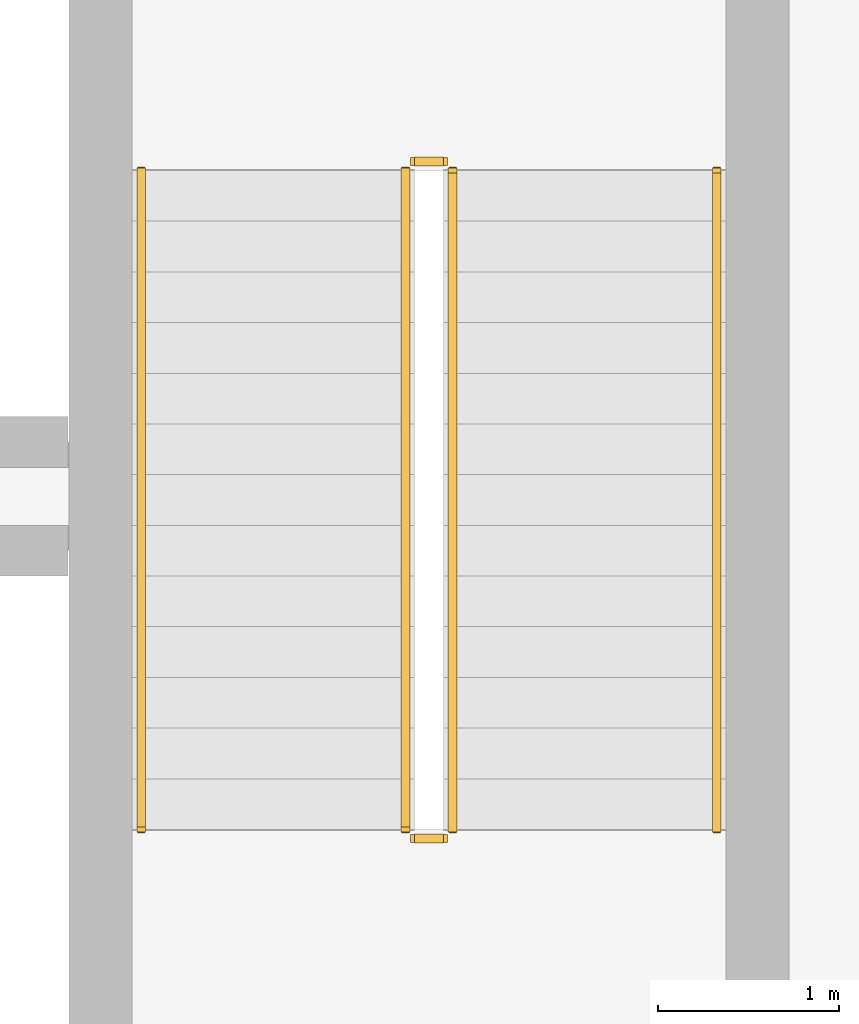
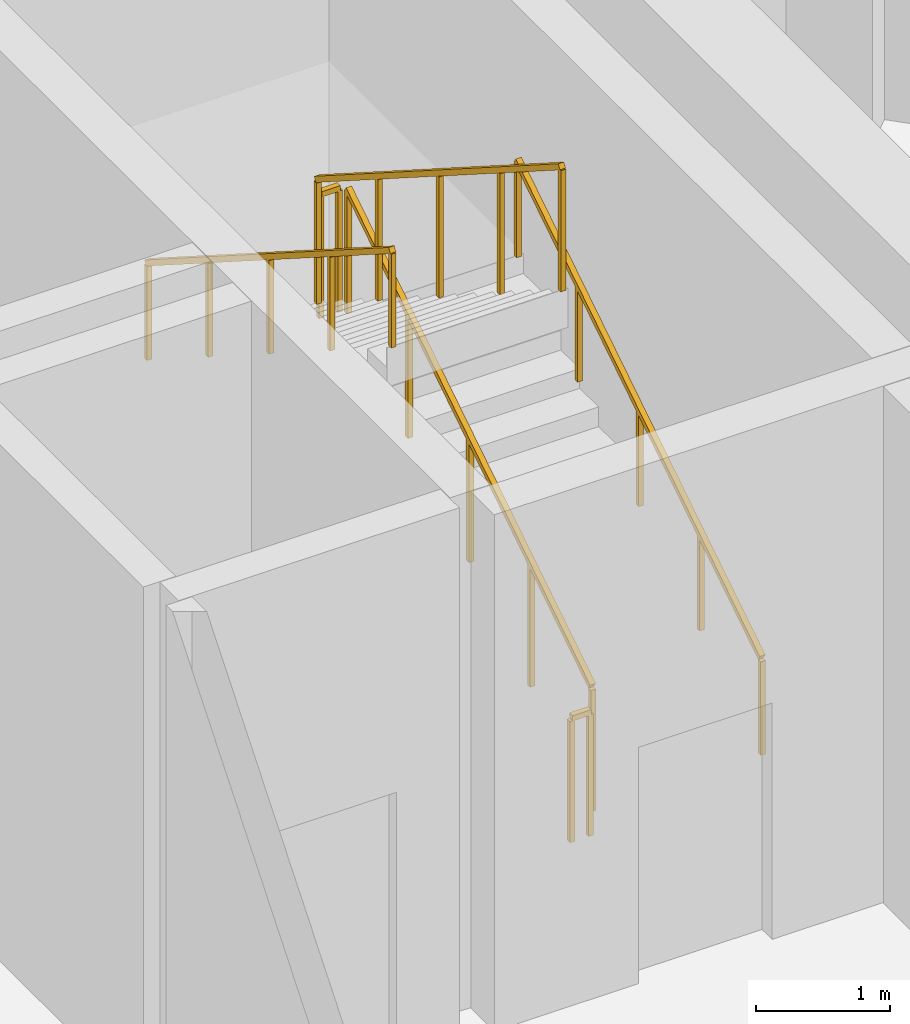
# One storey, part 36 of 36: 6 railings.
"""IFC4 building model written with IfcOpenShell, lengths in metres."""

from ifc_helpers import new_model, si_unit, direction, frame, origin, origin_2d, place, context, subcontext, project, spatial, rectangle, extrude, material, type_object, element, save


model = new_model("IFC4")

# Units and contexts
model_context = context("Model", 3, precision=1e-05, world=origin(), true_north=direction((0.0, 1.0)))
body_context = subcontext(model_context, "Body", "Model", "MODEL_VIEW")
ifc_project = project(units=[si_unit("LENGTHUNIT", "METRE"), si_unit("AREAUNIT", "SQUARE_METRE"), si_unit("VOLUMEUNIT", "CUBIC_METRE"), si_unit("PLANEANGLEUNIT", "RADIAN"), si_unit("MASSUNIT", "GRAM", prefix="KILO")], contexts=[model_context])

# Site, building, storey
site_placement = place(None, origin())
site = spatial("IfcSite", under=ifc_project, at=site_placement, CompositionType="ELEMENT")
building_placement = place(site_placement, origin())
building = spatial("IfcBuilding", under=site, at=building_placement, Name="Kaelvorn Grand Hotel", CompositionType="ELEMENT")
storey_placement = place(building_placement, frame((0.0, 0.0, 305.699951171875)))
storey = spatial("IfcBuildingStorey", under=building, at=storey_placement, Name="L74", CompositionType="ELEMENT", Elevation=305.699951171875)

# Railings
ifc_material = material(Name="Stainless Steel", Category="steel")
railing_type_1 = type_object("IfcRailingType", Name="RL-HANDRAIL-900", PredefinedType="HANDRAIL", material=ifc_material)
railing_1_placement = place(storey_placement, frame((66.550048828125, 41.760009765625, 0.1787109375)))
element("IfcRailing", 1, at=railing_1_placement, inside=storey, type_object=railing_type_1, Name="L74 ST3 stair handrail 1", PredefinedType="HANDRAIL", context=body_context, shape_type="SweptSolid", body=[
    extrude(rectangle(XDim=0.048095703125, YDim=0.048095703125, at=origin_2d()), frame((0.0, 0.0, 0.8759765625), z_axis=(0.0, 0.843137146238, 0.537698570422), x_axis=(-1.0, 0.0, 0.0)), (0.0, 0.0, 1.0), 4.317138671875),
    extrude(rectangle(XDim=0.0419921875, YDim=0.0419921875, at=origin_2d()), origin(), (0.0, 0.0, 1.0), 0.851806640625),
    extrude(rectangle(XDim=0.0419921875, YDim=0.0419921875, at=origin_2d()), frame((0.0, 0.909912109375, 0.580322265625)), (0.0, 0.0, 1.0), 0.851806640625),
    extrude(rectangle(XDim=0.0419921875, YDim=0.0419921875, at=origin_2d()), frame((0.0, 1.81982421875, 1.16064453125)), (0.0, 0.0, 1.0), 0.851806640625),
    extrude(rectangle(XDim=0.0419921875, YDim=0.0419921875, at=origin_2d()), frame((0.0, 2.72998046875, 1.740966796875)), (0.0, 0.0, 1.0), 0.851806640625),
    extrude(rectangle(XDim=0.0419921875, YDim=0.0419921875, at=origin_2d()), frame((0.0, 3.639892578125, 2.3212890625)), (0.0, 0.0, 1.0), 0.851806640625),
])
railing_2_placement = place(storey_placement, frame((63.3701171875, 45.39990234375, 2.6787109375)))
element("IfcRailing", 2, at=railing_2_placement, inside=storey, type_object=railing_type_1, Name="L74 ST3 stair handrail 2", PredefinedType="HANDRAIL", context=body_context, shape_type="SweptSolid", body=[
    extrude(rectangle(XDim=0.048095703125, YDim=0.048095703125, at=origin_2d()), frame((0.0, 0.0, 0.8759765625), z_axis=(0.0, -0.843137146238, 0.537698570422), x_axis=(1.0, 0.0, 0.0)), (0.0, 0.0, 1.0), 4.317138671875),
    extrude(rectangle(XDim=0.0419921875, YDim=0.0419921875, at=origin_2d()), origin(), (0.0, 0.0, 1.0), 0.851806640625),
    extrude(rectangle(XDim=0.0419921875, YDim=0.0419921875, at=origin_2d()), frame((0.0, -0.909912109375, 0.580322265625)), (0.0, 0.0, 1.0), 0.851806640625),
    extrude(rectangle(XDim=0.0419921875, YDim=0.0419921875, at=origin_2d()), frame((0.0, -1.81982421875, 1.16064453125)), (0.0, 0.0, 1.0), 0.851806640625),
    extrude(rectangle(XDim=0.0419921875, YDim=0.0419921875, at=origin_2d()), frame((0.0, -2.72998046875, 1.740966796875)), (0.0, 0.0, 1.0), 0.851806640625),
    extrude(rectangle(XDim=0.0419921875, YDim=0.0419921875, at=origin_2d()), frame((0.0, -3.639892578125, 2.3212890625)), (0.0, 0.0, 1.0), 0.851806640625),
])
railing_type_2 = type_object("IfcRailingType", Name="RL-STAIR-GUARD-1150", PredefinedType="BALUSTRADE", material=ifc_material)
railing_3_placement = place(storey_placement, frame((65.090087890625, 41.760009765625, 0.1787109375)))
element("IfcRailing", 3, at=railing_3_placement, inside=storey, type_object=railing_type_2, Name="L74 ST3 stair guard 1", PredefinedType="BALUSTRADE", context=body_context, shape_type="SweptSolid", body=[
    extrude(rectangle(XDim=0.048095703125, YDim=0.048095703125, at=origin_2d()), frame((0.0, 0.0, 1.1259765625), z_axis=(0.0, 0.843137146238, 0.537698570422), x_axis=(-1.0, 0.0, 0.0)), (0.0, 0.0, 1.0), 4.317138671875),
    extrude(rectangle(XDim=0.0419921875, YDim=0.0419921875, at=origin_2d()), origin(), (0.0, 0.0, 1.0), 1.101806640625),
    extrude(rectangle(XDim=0.0419921875, YDim=0.0419921875, at=origin_2d()), frame((0.0, 0.909912109375, 0.580322265625)), (0.0, 0.0, 1.0), 1.101806640625),
    extrude(rectangle(XDim=0.0419921875, YDim=0.0419921875, at=origin_2d()), frame((0.0, 1.81982421875, 1.16064453125)), (0.0, 0.0, 1.0), 1.101806640625),
    extrude(rectangle(XDim=0.0419921875, YDim=0.0419921875, at=origin_2d()), frame((0.0, 2.72998046875, 1.740966796875)), (0.0, 0.0, 1.0), 1.101806640625),
    extrude(rectangle(XDim=0.0419921875, YDim=0.0419921875, at=origin_2d()), frame((0.0, 3.639892578125, 2.3212890625)), (0.0, 0.0, 1.0), 1.101806640625),
])
railing_4_placement = place(storey_placement, frame((65.0400390625, 45.449951171875, 2.5)))
element("IfcRailing", 4, at=railing_4_placement, inside=storey, type_object=railing_type_2, Name="L74 ST3 stair guard 2", PredefinedType="BALUSTRADE", context=body_context, shape_type="SweptSolid", body=[
    extrude(rectangle(XDim=0.048095703125, YDim=0.048095703125, at=origin_2d()), frame((0.0, 0.0, 1.1259765625), z_axis=(-1.0, 0.0, 0.0), x_axis=(0.0, -1.0, 0.0)), (0.0, 0.0, 1.0), 0.16015625),
    extrude(rectangle(XDim=0.0419921875, YDim=0.0419921875, at=origin_2d()), origin(), (0.0, 0.0, 1.0), 1.101806640625),
    extrude(rectangle(XDim=0.0419921875, YDim=0.0419921875, at=origin_2d()), frame((-0.16015625, 0.0, 0.0)), (0.0, 0.0, 1.0), 1.101806640625),
])
railing_5_placement = place(storey_placement, frame((64.830078125, 45.39990234375, 2.6787109375)))
element("IfcRailing", 5, at=railing_5_placement, inside=storey, type_object=railing_type_2, Name="L74 ST3 stair guard 3", PredefinedType="BALUSTRADE", context=body_context, shape_type="SweptSolid", body=[
    extrude(rectangle(XDim=0.048095703125, YDim=0.048095703125, at=origin_2d()), frame((0.0, 0.0, 1.1259765625), z_axis=(0.0, -0.843137146238, 0.537698570422), x_axis=(1.0, 0.0, 0.0)), (0.0, 0.0, 1.0), 4.317138671875),
    extrude(rectangle(XDim=0.0419921875, YDim=0.0419921875, at=origin_2d()), origin(), (0.0, 0.0, 1.0), 1.101806640625),
    extrude(rectangle(XDim=0.0419921875, YDim=0.0419921875, at=origin_2d()), frame((0.0, -0.909912109375, 0.580322265625)), (0.0, 0.0, 1.0), 1.101806640625),
    extrude(rectangle(XDim=0.0419921875, YDim=0.0419921875, at=origin_2d()), frame((0.0, -1.81982421875, 1.16064453125)), (0.0, 0.0, 1.0), 1.101806640625),
    extrude(rectangle(XDim=0.0419921875, YDim=0.0419921875, at=origin_2d()), frame((0.0, -2.72998046875, 1.740966796875)), (0.0, 0.0, 1.0), 1.101806640625),
    extrude(rectangle(XDim=0.0419921875, YDim=0.0419921875, at=origin_2d()), frame((0.0, -3.639892578125, 2.3212890625)), (0.0, 0.0, 1.0), 1.101806640625),
])
railing_6_placement = place(storey_placement, frame((65.0400390625, 41.7099609375, 0.0)))
element("IfcRailing", 6, at=railing_6_placement, inside=storey, type_object=railing_type_2, Name="L74 ST3 stair guard 4", PredefinedType="BALUSTRADE", context=body_context, shape_type="SweptSolid", body=[
    extrude(rectangle(XDim=0.048095703125, YDim=0.048095703125, at=origin_2d()), frame((0.0, 0.0, 1.1259765625), z_axis=(-1.0, 0.0, 0.0), x_axis=(0.0, -1.0, 0.0)), (0.0, 0.0, 1.0), 0.16015625),
    extrude(rectangle(XDim=0.0419921875, YDim=0.0419921875, at=origin_2d()), origin(), (0.0, 0.0, 1.0), 1.101806640625),
    extrude(rectangle(XDim=0.0419921875, YDim=0.0419921875, at=origin_2d()), frame((-0.16015625, 0.0, 0.0)), (0.0, 0.0, 1.0), 1.101806640625),
])

save(model, "model.ifc")
